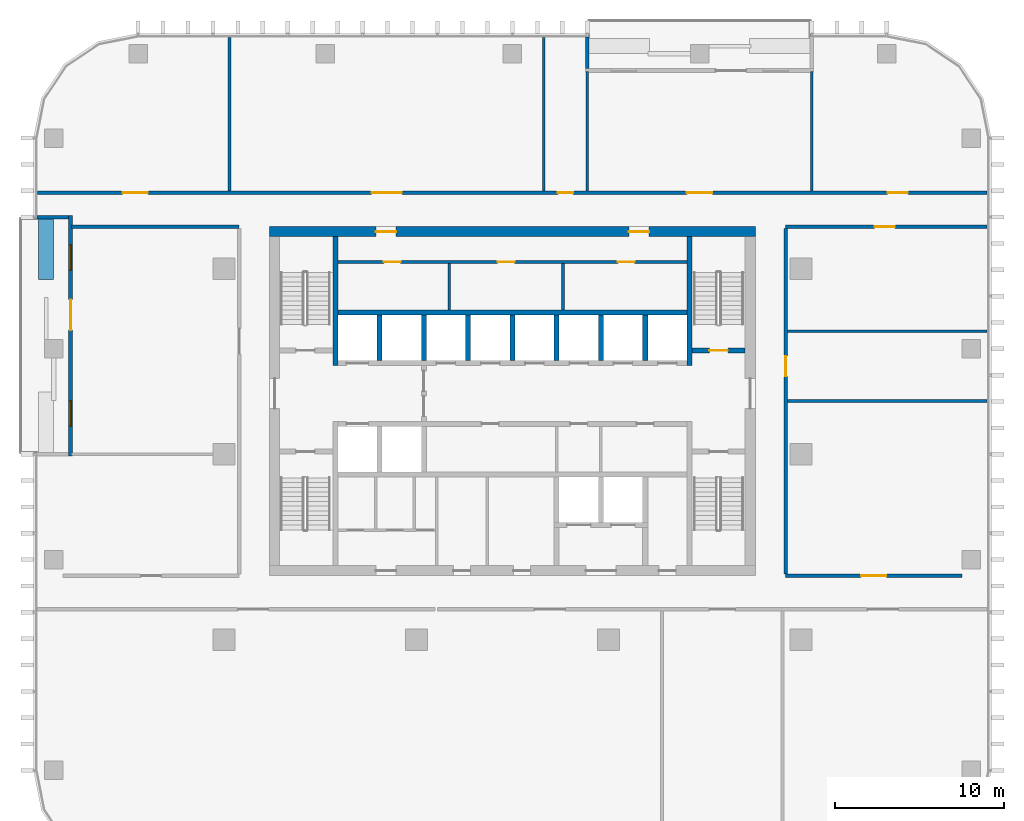
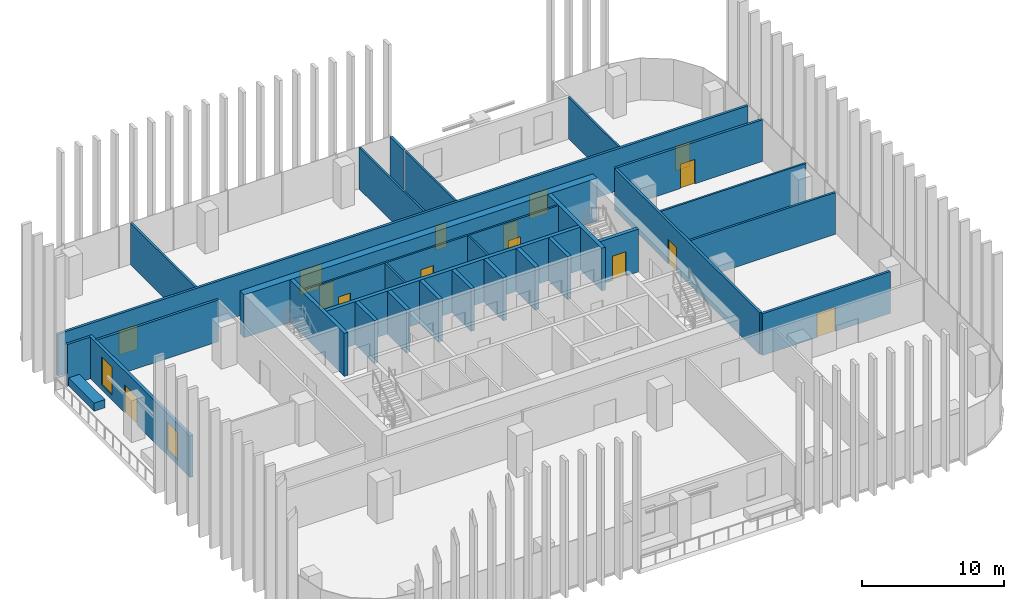
# One storey, part 9 of 16: 30 walls, 15 doors, 2 windows, 17 openings.
"""IFC4 building model written with IfcOpenShell, lengths in metres."""

from ifc_helpers import new_model, si_unit, direction, frame, frame_2d, origin, place, context, subcontext, project, spatial, rectangle, extrude, material, layer, layer_set, type_object, element, fill, save


model = new_model("IFC4")

# Units and contexts
model_context = context("Model", 3, precision=1e-05, world=origin(), true_north=direction((0.0, 1.0)))
body_context = subcontext(model_context, "Body", "Model", "MODEL_VIEW")
ifc_project = project(units=[si_unit("LENGTHUNIT", "METRE"), si_unit("AREAUNIT", "SQUARE_METRE"), si_unit("VOLUMEUNIT", "CUBIC_METRE"), si_unit("PLANEANGLEUNIT", "RADIAN"), si_unit("MASSUNIT", "GRAM", prefix="KILO")], contexts=[model_context])

# Site, building, storey
site_placement = place(None, origin())
site = spatial("IfcSite", under=ifc_project, at=site_placement, CompositionType="ELEMENT")
building_placement = place(site_placement, origin())
building = spatial("IfcBuilding", under=site, at=building_placement, Name="Mopane Tessera Tower", CompositionType="ELEMENT")
storey_placement = place(building_placement, frame((0.0, 0.0, 247.0)))
storey = spatial("IfcBuildingStorey", under=building, at=storey_placement, Name="L53", CompositionType="ELEMENT", Elevation=247.0)

# Walls
ifc_material_1 = material(Name="Fire-rated gypsum board partition")
ifc_layer_1 = layer(ifc_material_1, 0.14990234375)
ifc_layer_set_1 = layer_set([ifc_layer_1], Name="Fire-rated gypsum board partition")
wall_type_1 = type_object("IfcWallType", Name="Core room partition 150 mm", PredefinedType="PARTITIONING", material=ifc_layer_set_1)
for number, where, z_axis, x_axis, name in (
    (1, (-3.75, 8.550048828125, 0.0), (0.0, 0.0, 1.0), (0.0, 1.0, 0.0), "L53 Room partition"),
    (2, (3.0, 8.550048828125, 0.0), (0.0, 0.0, 1.0), (0.0, 1.0, 0.0), "L53 Room partition"),
):
    element("IfcWall", number, at=place(storey_placement, frame(where, z_axis=z_axis, x_axis=x_axis)), inside=storey, type_object=wall_type_1, Name=name, PredefinedType="PARTITIONING", context=body_context, shape_type="SweptSolid", body=[
        extrude(rectangle(XDim=2.77490234375, YDim=0.14990234375, at=frame_2d((1.387451171875, 0.0))), origin(), (0.0, 0.0, 1.0), 3.699951171875),
    ])

# Wall, openings, doors
wall_1_placement = place(storey_placement, frame((-10.35009765625, 11.39990234375, 0.0), z_axis=(0.0, 0.0, 1.0), x_axis=(1.0, 0.0, 0.0)))
wall_1 = element("IfcWall", 3, at=wall_1_placement, inside=storey, type_object=wall_type_1, Name="L53 Corridor wall", PredefinedType="PARTITIONING", context=body_context, shape_type="SweptSolid", body=[
    extrude(rectangle(XDim=20.7001953125, YDim=0.14990234375, at=frame_2d((10.35009765625, 0.0))), origin(), (0.0, 0.0, 1.0), 3.699951171875),
])
opening_1_placement = place(wall_1_placement, frame((2.72509765625, 0.0, 0.0)))
opening_1 = element("IfcOpeningElement", 4, at=opening_1_placement, cuts=wall_1, Name="Opening RD1", PredefinedType="OPENING", context=body_context, shape_type="SweptSolid", body=[
    extrude(rectangle(XDim=1.0, YDim=2.10009765625, at=frame_2d((0.5, 1.050048828125))), frame((0.0, 0.0869140625, 0.0), z_axis=(0.0, -1.0, 0.0), x_axis=(1.0, 0.0, 0.0)), (0.0, 0.0, 1.0), 0.173828125),
])
opening_2_placement = place(wall_1_placement, frame((9.47509765625, 0.0, 0.0)))
opening_2 = element("IfcOpeningElement", 5, at=opening_2_placement, cuts=wall_1, Name="Opening RD1", PredefinedType="OPENING", context=body_context, shape_type="SweptSolid", body=[
    extrude(rectangle(XDim=1.0, YDim=2.10009765625, at=frame_2d((0.5, 1.050048828125))), frame((0.0, 0.0869140625, 0.0), z_axis=(0.0, -1.0, 0.0), x_axis=(1.0, 0.0, 0.0)), (0.0, 0.0, 1.0), 0.173828125),
])
opening_3_placement = place(wall_1_placement, frame((16.60009765625, 0.0, 0.0)))
opening_3 = element("IfcOpeningElement", 6, at=opening_3_placement, cuts=wall_1, Name="Opening RD1", PredefinedType="OPENING", context=body_context, shape_type="SweptSolid", body=[
    extrude(rectangle(XDim=1.0, YDim=2.10009765625, at=frame_2d((0.5, 1.050048828125))), frame((0.0, 0.0869140625, 0.0), z_axis=(0.0, -1.0, 0.0), x_axis=(1.0, 0.0, 0.0)), (0.0, 0.0, 1.0), 0.173828125),
])
ifc_material_2 = material(Name="Timber door", Category="wood")
door_type_1 = type_object("IfcDoorType", Name="Core room door 1000 x 2100", OperationType="SINGLE_SWING_LEFT", PredefinedType="DOOR", material=ifc_material_2)
door_1_placement = place(opening_1_placement, origin())
door_1 = element("IfcDoor", 7, at=door_1_placement, inside=storey, type_object=door_type_1, Name="L53 Room door", OperationType="SINGLE_SWING_LEFT", OverallHeight=2.10009765625, OverallWidth=1.0, PredefinedType="DOOR", context=body_context, shape_type="SweptSolid", body=[
    extrude(rectangle(XDim=1.0, YDim=2.10009765625, at=frame_2d((0.5, 1.050048828125))), frame((0.0, 0.02490234375, 0.0), z_axis=(0.0, -1.0, 0.0), x_axis=(1.0, 0.0, 0.0)), (0.0, 0.0, 1.0), 0.050048828125),
])
fill(opening_1, door_1)
door_2_placement = place(opening_2_placement, origin())
door_2 = element("IfcDoor", 8, at=door_2_placement, inside=storey, type_object=door_type_1, Name="L53 Room door", OperationType="SINGLE_SWING_LEFT", OverallHeight=2.10009765625, OverallWidth=1.0, PredefinedType="DOOR", context=body_context, shape_type="SweptSolid", body=[
    extrude(rectangle(XDim=1.0, YDim=2.10009765625, at=frame_2d((0.5, 1.050048828125))), frame((0.0, 0.02490234375, 0.0), z_axis=(0.0, -1.0, 0.0), x_axis=(1.0, 0.0, 0.0)), (0.0, 0.0, 1.0), 0.050048828125),
])
fill(opening_2, door_2)
door_3_placement = place(opening_3_placement, origin())
door_3 = element("IfcDoor", 9, at=door_3_placement, inside=storey, type_object=door_type_1, Name="L53 Room door", OperationType="SINGLE_SWING_LEFT", OverallHeight=2.10009765625, OverallWidth=1.0, PredefinedType="DOOR", context=body_context, shape_type="SweptSolid", body=[
    extrude(rectangle(XDim=1.0, YDim=2.10009765625, at=frame_2d((0.5, 1.050048828125))), frame((0.0, 0.02490234375, 0.0), z_axis=(0.0, -1.0, 0.0), x_axis=(1.0, 0.0, 0.0)), (0.0, 0.0, 1.0), 0.050048828125),
])
fill(opening_3, door_3)

ifc_material_3 = material(Name="Concrete C70/85", Category="concrete")
ifc_layer_2 = layer(ifc_material_3, 0.60009765625)
ifc_layer_set_2 = layer_set([ifc_layer_2], Name="Concrete C70/85")
wall_type_2 = type_object("IfcWallType", Name="Core shear wall 600 mm", PredefinedType="SHEAR", material=ifc_layer_set_2)
wall_2_placement = place(storey_placement, frame((-14.39990234375, 13.199951171875, 0.0), z_axis=(0.0, 0.0, 1.0), x_axis=(1.0, 0.0, 0.0)))
wall_2 = element("IfcWall", 10, at=wall_2_placement, inside=storey, type_object=wall_type_2, Name="L53 Core wall north", PredefinedType="SHEAR", context=body_context, shape_type="SweptSolid", body=[
    extrude(rectangle(XDim=28.7998046875, YDim=0.60009765625, at=frame_2d((14.39990234375, 0.0))), origin(), (0.0, 0.0, 1.0), 3.699951171875),
])
opening_4_placement = place(wall_2_placement, frame((6.300048828125, 0.0, 0.0)))
opening_4 = element("IfcOpeningElement", 11, at=opening_4_placement, cuts=wall_2, Name="Opening RD2", PredefinedType="OPENING", context=body_context, shape_type="SweptSolid", body=[
    extrude(rectangle(XDim=1.199951171875, YDim=2.10009765625, at=frame_2d((0.60009765625, 1.050048828125))), frame((0.0, 0.31201171875, 0.0), z_axis=(0.0, -1.0, 0.0), x_axis=(1.0, 0.0, 0.0)), (0.0, 0.0, 1.0), 0.6240234375),
])
opening_5_placement = place(wall_2_placement, frame((21.300048828125, 0.0, 0.0)))
opening_5 = element("IfcOpeningElement", 12, at=opening_5_placement, cuts=wall_2, Name="Opening RD2", PredefinedType="OPENING", context=body_context, shape_type="SweptSolid", body=[
    extrude(rectangle(XDim=1.199951171875, YDim=2.10009765625, at=frame_2d((0.60009765625, 1.050048828125))), frame((0.0, 0.31201171875, 0.0), z_axis=(0.0, -1.0, 0.0), x_axis=(1.0, 0.0, 0.0)), (0.0, 0.0, 1.0), 0.6240234375),
])
ifc_material_4 = material(Name="Timber door", Category="wood")
door_type_2 = type_object("IfcDoorType", Name="Core corridor door 1200 x 2100", OperationType="SINGLE_SWING_LEFT", PredefinedType="DOOR", material=ifc_material_4)
door_4_placement = place(opening_4_placement, origin())
door_4 = element("IfcDoor", 13, at=door_4_placement, inside=storey, type_object=door_type_2, Name="L53 Corridor door", OperationType="SINGLE_SWING_LEFT", OverallHeight=2.10009765625, OverallWidth=1.199951171875, PredefinedType="DOOR", context=body_context, shape_type="SweptSolid", body=[
    extrude(rectangle(XDim=1.199951171875, YDim=2.10009765625, at=frame_2d((0.60009765625, 1.050048828125))), frame((0.0, 0.02490234375, 0.0), z_axis=(0.0, -1.0, 0.0), x_axis=(1.0, 0.0, 0.0)), (0.0, 0.0, 1.0), 0.050048828125),
])
fill(opening_4, door_4)
door_5_placement = place(opening_5_placement, origin())
door_5 = element("IfcDoor", 14, at=door_5_placement, inside=storey, type_object=door_type_2, Name="L53 Corridor door", OperationType="SINGLE_SWING_RIGHT", OverallHeight=2.10009765625, OverallWidth=1.199951171875, PredefinedType="DOOR", context=body_context, shape_type="SweptSolid", body=[
    extrude(rectangle(XDim=1.199951171875, YDim=2.10009765625, at=frame_2d((0.60009765625, 1.050048828125))), frame((0.0, 0.02490234375, 0.0), z_axis=(0.0, -1.0, 0.0), x_axis=(1.0, 0.0, 0.0)), (0.0, 0.0, 1.0), 0.050048828125),
])
fill(opening_5, door_5)

# Walls
ifc_material_5 = material(Name="Concrete C60/75", Category="concrete")
ifc_layer_3 = layer(ifc_material_5, 0.300048828125)
ifc_layer_set_3 = layer_set([ifc_layer_3], Name="Concrete C60/75")
wall_type_3 = type_object("IfcWallType", Name="Core spine wall 300 mm", PredefinedType="SHEAR", material=ifc_layer_set_3)
for number, where, z_axis, x_axis, name in (
    (15, (-10.5, 5.25, 0.0), (0.0, 0.0, 1.0), (0.0, 1.0, 0.0), "L53 Core spine wall"),
    (16, (10.5, 5.25, 0.0), (0.0, 0.0, 1.0), (0.0, 1.0, 0.0), "L53 Core spine wall"),
):
    element("IfcWall", number, at=place(storey_placement, frame(where, z_axis=z_axis, x_axis=x_axis)), inside=storey, type_object=wall_type_3, Name=name, PredefinedType="SHEAR", context=body_context, shape_type="SweptSolid", body=[
        extrude(rectangle(XDim=7.64990234375, YDim=0.300048828125, at=frame_2d((3.824951171875, 0.0))), origin(), (0.0, 0.0, 1.0), 3.699951171875),
    ])
ifc_material_6 = material(Name="Gypsum board on staggered steel studs, double layer each face, acoustic mineral wool infill", Category="steel")
ifc_layer_4 = layer(ifc_material_6, 0.175048828125)
ifc_layer_set_4 = layer_set([ifc_layer_4], Name="Gypsum board on staggered steel studs, double layer each face, acoustic mineral wool infill")
wall_type_4 = type_object("IfcWallType", Name="Gypsum board acoustic partition 175, rated EI 60", PredefinedType="PARTITIONING", material=ifc_layer_set_4)
wall_3_placement = place(storey_placement, frame((16.300048828125, 3.14990234375, 0.0), z_axis=(0.0, 0.0, 1.0), x_axis=(1.0, 0.0, 0.0)))
element("IfcWall", 17, at=wall_3_placement, inside=storey, type_object=wall_type_4, Name="Partition L53:005", PredefinedType="PARTITIONING", context=body_context, shape_type="SweptSolid", body=[
    extrude(rectangle(XDim=11.849853515625, YDim=0.175048828125, at=frame_2d((5.9248046875, 0.0))), origin(), (0.0, 0.0, 1.0), 3.60009765625),
])
wall_4_placement = place(storey_placement, frame((-16.77001953125, 15.60009765625, 0.0), z_axis=(0.0, 0.0, 1.0), x_axis=(0.0, 1.0, 0.0)))
element("IfcWall", 18, at=wall_4_placement, inside=storey, type_object=wall_type_4, Name="Partition L53:010", PredefinedType="PARTITIONING", context=body_context, shape_type="SweptSolid", body=[
    extrude(rectangle(XDim=9.099853515625, YDim=0.175048828125, at=frame_2d((4.5498046875, 0.0))), origin(), (0.0, 0.0, 1.0), 3.60009765625),
])

# Wall, opening, door
ifc_material_7 = material(Name="Gypsum board on steel studs, two layers each face, mineral wool infill", Category="steel")
ifc_layer_5 = layer(ifc_material_7, 0.199951171875)
ifc_layer_set_5 = layer_set([ifc_layer_5], Name="Gypsum board on steel studs, two layers each face, mineral wool infill")
wall_type_5 = type_object("IfcWallType", Name="Gypsum board corridor wall 200, rated EI 60", PredefinedType="PARTITIONING", material=ifc_layer_set_5)
wall_5_placement = place(storey_placement, frame((16.199951171875, -7.199951171875, 0.0), z_axis=(0.0, 0.0, 1.0), x_axis=(1.0, 0.0, 0.0)))
wall_5 = element("IfcWall", 19, at=wall_5_placement, inside=storey, type_object=wall_type_5, Name="Partition L53:003", PredefinedType="PARTITIONING", context=body_context, shape_type="SweptSolid", body=[
    extrude(rectangle(XDim=10.449951171875, YDim=0.199951171875, at=frame_2d((5.22509765625, 0.0))), origin(), (0.0, 0.0, 1.0), 3.60009765625),
])
opening_6_placement = place(wall_5_placement, frame((4.47509765625, 0.0, 0.0)))
opening_6 = element("IfcOpeningElement", 20, at=opening_6_placement, cuts=wall_5, Name="Opening L53-14", PredefinedType="OPENING", context=body_context, shape_type="SweptSolid", body=[
    extrude(rectangle(XDim=1.5, YDim=2.10009765625, at=frame_2d((0.75, 1.050048828125))), frame((0.0, 0.112060546875, 0.0), z_axis=(0.0, -1.0, 0.0), x_axis=(1.0, 0.0, 0.0)), (0.0, 0.0, 1.0), 0.223876953125),
])
ifc_material_8 = material(Name="Timber veneered steel-framed fire door", Category="steel")
door_type_3 = type_object("IfcDoorType", Name="Fire door pair FD60 1500 x 2100", OperationType="DOUBLE_DOOR_SINGLE_SWING", PredefinedType="DOOR", material=ifc_material_8)
door_6_placement = place(opening_6_placement, origin())
door_6 = element("IfcDoor", 21, at=door_6_placement, inside=storey, type_object=door_type_3, Name="Door L53-14", ObjectType="D17A", OperationType="DOUBLE_DOOR_SINGLE_SWING", OverallHeight=2.10009765625, OverallWidth=1.5, PredefinedType="DOOR", context=body_context, shape_type="SweptSolid", body=[
    extrude(rectangle(XDim=1.5, YDim=2.10009765625, at=frame_2d((0.75, 1.050048828125))), frame((0.0, 0.02490234375, 0.0), z_axis=(0.0, -1.0, 0.0), x_axis=(1.0, 0.0, 0.0)), (0.0, 0.0, 1.0), 0.050048828125),
])
fill(opening_6, door_6)

# Wall
wall_6_placement = place(storey_placement, frame((-26.14990234375, 13.5, 0.0), z_axis=(0.0, 0.0, 1.0), x_axis=(1.0, 0.0, 0.0)))
element("IfcWall", 22, at=wall_6_placement, inside=storey, type_object=wall_type_5, Name="Partition L53:007", PredefinedType="PARTITIONING", context=body_context, shape_type="SweptSolid", body=[
    extrude(rectangle(XDim=9.949951171875, YDim=0.199951171875, at=frame_2d((4.97509765625, 0.0))), origin(), (0.0, 0.0, 1.0), 3.60009765625),
])

# Wall, opening, door
wall_7_placement = place(storey_placement, frame((16.199951171875, 13.5, 0.0), z_axis=(0.0, 0.0, 1.0), x_axis=(1.0, 0.0, 0.0)))
wall_7 = element("IfcWall", 23, at=wall_7_placement, inside=storey, type_object=wall_type_5, Name="Partition L53:008", PredefinedType="PARTITIONING", context=body_context, shape_type="SweptSolid", body=[
    extrude(rectangle(XDim=11.949951171875, YDim=0.199951171875, at=frame_2d((5.97509765625, 0.0))), origin(), (0.0, 0.0, 1.0), 3.60009765625),
])
opening_7_placement = place(wall_7_placement, frame((5.27490234375, 0.0, 0.0)))
opening_7 = element("IfcOpeningElement", 24, at=opening_7_placement, cuts=wall_7, Name="Opening L53-07", PredefinedType="OPENING", context=body_context, shape_type="SweptSolid", body=[
    extrude(rectangle(XDim=1.199951171875, YDim=2.10009765625, at=frame_2d((0.60009765625, 1.050048828125))), frame((0.0, 0.112060546875, 0.0), z_axis=(0.0, -1.0, 0.0), x_axis=(1.0, 0.0, 0.0)), (0.0, 0.0, 1.0), 0.223876953125),
])
ifc_material_9 = material(Name="Timber veneered steel-framed fire door", Category="steel")
door_type_4 = type_object("IfcDoorType", Name="Fire door FD60 1200 x 2100", OperationType="SINGLE_SWING_LEFT", PredefinedType="DOOR", material=ifc_material_9)
door_7_placement = place(opening_7_placement, origin())
door_7 = element("IfcDoor", 25, at=door_7_placement, inside=storey, type_object=door_type_4, Name="Door L53-07", ObjectType="D15A", OperationType="SINGLE_SWING_LEFT", OverallHeight=2.10009765625, OverallWidth=1.199951171875, PredefinedType="DOOR", context=body_context, shape_type="SweptSolid", body=[
    extrude(rectangle(XDim=1.199951171875, YDim=2.10009765625, at=frame_2d((0.60009765625, 1.050048828125))), frame((0.0, 0.02490234375, 0.0), z_axis=(0.0, -1.0, 0.0), x_axis=(1.0, 0.0, 0.0)), (0.0, 0.0, 1.0), 0.050048828125),
])
fill(opening_7, door_7)

# Wall, openings, doors
wall_8_placement = place(storey_placement, frame((-28.14990234375, 15.5, 0.0), z_axis=(0.0, 0.0, 1.0), x_axis=(1.0, 0.0, 0.0)))
wall_8 = element("IfcWall", 26, at=wall_8_placement, inside=storey, type_object=wall_type_5, Name="Partition L53:009", PredefinedType="PARTITIONING", context=body_context, shape_type="SweptSolid", body=[
    extrude(rectangle(XDim=56.2998046875, YDim=0.199951171875, at=frame_2d((28.14990234375, 0.0))), origin(), (0.0, 0.0, 1.0), 3.60009765625),
])
opening_8_placement = place(wall_8_placement, frame((50.405029296875, 0.0, 0.0)))
opening_8 = element("IfcOpeningElement", 27, at=opening_8_placement, cuts=wall_8, Name="Opening L53-01", PredefinedType="OPENING", context=body_context, shape_type="SweptSolid", body=[
    extrude(rectangle(XDim=1.199951171875, YDim=2.10009765625, at=frame_2d((0.60009765625, 1.050048828125))), frame((0.0, 0.112060546875, 0.0), z_axis=(0.0, -1.0, 0.0), x_axis=(1.0, 0.0, 0.0)), (0.0, 0.0, 1.0), 0.223876953125),
])
opening_9_placement = place(wall_8_placement, frame((38.5, 0.0, 0.0)))
opening_9 = element("IfcOpeningElement", 28, at=opening_9_placement, cuts=wall_8, Name="Opening L53-05", PredefinedType="OPENING", context=body_context, shape_type="SweptSolid", body=[
    extrude(rectangle(XDim=1.5, YDim=2.10009765625, at=frame_2d((0.75, 1.050048828125))), frame((0.0, 0.112060546875, 0.0), z_axis=(0.0, -1.0, 0.0), x_axis=(1.0, 0.0, 0.0)), (0.0, 0.0, 1.0), 0.223876953125),
])
opening_10_placement = place(wall_8_placement, frame((30.8525390625, 0.0, 0.0)))
opening_10 = element("IfcOpeningElement", 29, at=opening_10_placement, cuts=wall_8, Name="Opening L53-06", PredefinedType="OPENING", context=body_context, shape_type="SweptSolid", body=[
    extrude(rectangle(XDim=0.89990234375, YDim=2.10009765625, at=frame_2d((0.449951171875, 1.050048828125))), frame((0.0, 0.112060546875, 0.0), z_axis=(0.0, -1.0, 0.0), x_axis=(1.0, 0.0, 0.0)), (0.0, 0.0, 1.0), 0.223876953125),
])
opening_11_placement = place(wall_8_placement, frame((19.797607421875, 0.0, 0.0)))
opening_11 = element("IfcOpeningElement", 30, at=opening_11_placement, cuts=wall_8, Name="Opening L53-10", PredefinedType="OPENING", context=body_context, shape_type="SweptSolid", body=[
    extrude(rectangle(XDim=1.800048828125, YDim=2.10009765625, at=frame_2d((0.89990234375, 1.050048828125))), frame((0.0, 0.112060546875, 0.0), z_axis=(0.0, -1.0, 0.0), x_axis=(1.0, 0.0, 0.0)), (0.0, 0.0, 1.0), 0.223876953125),
])
opening_12_placement = place(wall_8_placement, frame((5.0400390625, 0.0, 0.0)))
opening_12 = element("IfcOpeningElement", 31, at=opening_12_placement, cuts=wall_8, Name="Opening L53-12", PredefinedType="OPENING", context=body_context, shape_type="SweptSolid", body=[
    extrude(rectangle(XDim=1.5, YDim=2.10009765625, at=frame_2d((0.75, 1.050048828125))), frame((0.0, 0.112060546875, 0.0), z_axis=(0.0, -1.0, 0.0), x_axis=(1.0, 0.0, 0.0)), (0.0, 0.0, 1.0), 0.223876953125),
])
door_8_placement = place(opening_8_placement, origin())
door_8 = element("IfcDoor", 32, at=door_8_placement, inside=storey, type_object=door_type_4, Name="Door L53-01", ObjectType="D15A", OperationType="SINGLE_SWING_RIGHT", OverallHeight=2.10009765625, OverallWidth=1.199951171875, PredefinedType="DOOR", context=body_context, shape_type="SweptSolid", body=[
    extrude(rectangle(XDim=1.199951171875, YDim=2.10009765625, at=frame_2d((0.60009765625, 1.050048828125))), frame((0.0, 0.02490234375, 0.0), z_axis=(0.0, -1.0, 0.0), x_axis=(1.0, 0.0, 0.0)), (0.0, 0.0, 1.0), 0.050048828125),
])
fill(opening_8, door_8)
ifc_material_10 = material(Name="Timber veneered steel-framed fire door", Category="steel")
door_type_5 = type_object("IfcDoorType", Name="Fire door FD60 900 x 2100", OperationType="SINGLE_SWING_LEFT", PredefinedType="DOOR", material=ifc_material_10)
door_9_placement = place(opening_10_placement, origin())
door_9 = element("IfcDoor", 33, at=door_9_placement, inside=storey, type_object=door_type_5, Name="Door L53-06", ObjectType="D10A", OperationType="SINGLE_SWING_LEFT", OverallHeight=2.10009765625, OverallWidth=0.89990234375, PredefinedType="DOOR", context=body_context, shape_type="SweptSolid", body=[
    extrude(rectangle(XDim=0.89990234375, YDim=2.10009765625, at=frame_2d((0.449951171875, 1.050048828125))), frame((0.0, 0.02490234375, 0.0), z_axis=(0.0, -1.0, 0.0), x_axis=(1.0, 0.0, 0.0)), (0.0, 0.0, 1.0), 0.050048828125),
])
fill(opening_10, door_9)
door_10_placement = place(opening_9_placement, origin())
door_10 = element("IfcDoor", 34, at=door_10_placement, inside=storey, type_object=door_type_3, Name="Door L53-05", ObjectType="D17A", OperationType="DOUBLE_DOOR_SINGLE_SWING", OverallHeight=2.10009765625, OverallWidth=1.5, PredefinedType="DOOR", context=body_context, shape_type="SweptSolid", body=[
    extrude(rectangle(XDim=1.5, YDim=2.10009765625, at=frame_2d((0.75, 1.050048828125))), frame((0.0, 0.02490234375, 0.0), z_axis=(0.0, -1.0, 0.0), x_axis=(1.0, 0.0, 0.0)), (0.0, 0.0, 1.0), 0.050048828125),
])
fill(opening_9, door_10)
door_11_placement = place(opening_12_placement, origin())
door_11 = element("IfcDoor", 35, at=door_11_placement, inside=storey, type_object=door_type_3, Name="Door L53-12", ObjectType="D17A", OperationType="DOUBLE_DOOR_SINGLE_SWING", OverallHeight=2.10009765625, OverallWidth=1.5, PredefinedType="DOOR", context=body_context, shape_type="SweptSolid", body=[
    extrude(rectangle(XDim=1.5, YDim=2.10009765625, at=frame_2d((0.75, 1.050048828125))), frame((0.0, 0.02490234375, 0.0), z_axis=(0.0, -1.0, 0.0), x_axis=(1.0, 0.0, 0.0)), (0.0, 0.0, 1.0), 0.050048828125),
])
fill(opening_12, door_11)
ifc_material_11 = material(Name="Timber veneered steel-framed fire door", Category="steel")
door_type_6 = type_object("IfcDoorType", Name="Fire door pair FD60 1800 x 2100", OperationType="DOUBLE_DOOR_SINGLE_SWING", PredefinedType="DOOR", material=ifc_material_11)
door_12_placement = place(opening_11_placement, origin())
door_12 = element("IfcDoor", 36, at=door_12_placement, inside=storey, type_object=door_type_6, Name="Door L53-10", ObjectType="D20A", OperationType="DOUBLE_DOOR_SINGLE_SWING", OverallHeight=2.10009765625, OverallWidth=1.800048828125, PredefinedType="DOOR", context=body_context, shape_type="SweptSolid", body=[
    extrude(rectangle(XDim=1.800048828125, YDim=2.10009765625, at=frame_2d((0.89990234375, 1.050048828125))), frame((0.0, 0.02490234375, 0.0), z_axis=(0.0, -1.0, 0.0), x_axis=(1.0, 0.0, 0.0)), (0.0, 0.0, 1.0), 0.050048828125),
])
fill(opening_11, door_12)

# Wall, opening, door
wall_9_placement = place(storey_placement, frame((16.199951171875, -7.10009765625, 0.0), z_axis=(0.0, 0.0, 1.0), x_axis=(0.0, 1.0, 0.0)))
wall_9 = element("IfcWall", 37, at=wall_9_placement, inside=storey, type_object=wall_type_5, Name="Partition L53:016", PredefinedType="PARTITIONING", context=body_context, shape_type="SweptSolid", body=[
    extrude(rectangle(XDim=20.5, YDim=0.199951171875, at=frame_2d((10.25, 0.0))), origin(), (0.0, 0.0, 1.0), 3.60009765625),
])
opening_13_placement = place(wall_9_placement, frame((11.719970703125, 0.0, 0.0)))
opening_13 = element("IfcOpeningElement", 38, at=opening_13_placement, cuts=wall_9, Name="Opening L53-11", PredefinedType="OPENING", context=body_context, shape_type="SweptSolid", body=[
    extrude(rectangle(XDim=1.199951171875, YDim=2.10009765625, at=frame_2d((0.60009765625, 1.050048828125))), frame((0.0, 0.112060546875, 0.0), z_axis=(0.0, -1.0, 0.0), x_axis=(1.0, 0.0, 0.0)), (0.0, 0.0, 1.0), 0.223876953125),
])
door_13_placement = place(opening_13_placement, origin())
door_13 = element("IfcDoor", 39, at=door_13_placement, inside=storey, type_object=door_type_4, Name="Door L53-11", ObjectType="D15A", OperationType="SINGLE_SWING_LEFT", OverallHeight=2.10009765625, OverallWidth=1.199951171875, PredefinedType="DOOR", context=body_context, shape_type="SweptSolid", body=[
    extrude(rectangle(XDim=1.199951171875, YDim=2.10009765625, at=frame_2d((0.60009765625, 1.050048828125))), frame((0.0, 0.02490234375, 0.0), z_axis=(0.0, -1.0, 0.0), x_axis=(1.0, 0.0, 0.0)), (0.0, 0.0, 1.0), 0.050048828125),
])
fill(opening_13, door_13)

# Walls
ifc_material_12 = material(Name="Gypsum board on steel studs, mineral wool infill", Category="steel")
ifc_layer_6 = layer(ifc_material_12, 0.14990234375)
ifc_layer_set_6 = layer_set([ifc_layer_6], Name="Gypsum board on steel studs, mineral wool infill")
wall_type_6 = type_object("IfcWallType", Name="Gypsum board partition 150, rated EI 60", PredefinedType="PARTITIONING", material=ifc_layer_set_6)
wall_10_placement = place(storey_placement, frame((16.300048828125, 7.2900390625, 0.0), z_axis=(0.0, 0.0, 1.0), x_axis=(1.0, 0.0, 0.0)))
element("IfcWall", 40, at=wall_10_placement, inside=storey, type_object=wall_type_6, Name="Partition L53:006", PredefinedType="PARTITIONING", context=body_context, shape_type="SweptSolid", body=[
    extrude(rectangle(XDim=11.849853515625, YDim=0.14990234375, at=frame_2d((5.9248046875, 0.0))), origin(), (0.0, 0.0, 1.0), 3.60009765625),
])
wall_11_placement = place(storey_placement, frame((1.864990234375, 15.60009765625, 0.0), z_axis=(0.0, 0.0, 1.0), x_axis=(0.0, 1.0, 0.0)))
element("IfcWall", 41, at=wall_11_placement, inside=storey, type_object=wall_type_6, Name="Partition L53:012", PredefinedType="PARTITIONING", context=body_context, shape_type="SweptSolid", body=[
    extrude(rectangle(XDim=9.099853515625, YDim=0.14990234375, at=frame_2d((4.5498046875, 0.0))), origin(), (0.0, 0.0, 1.0), 3.60009765625),
])
for number, where, z_axis, x_axis, name in (
    (42, (4.43994140625, 15.60009765625, 0.0), (0.0, 0.0, 1.0), (0.0, 1.0, 0.0), "Partition L53:013"),
    (43, (17.760009765625, 15.60009765625, 0.0), (0.0, 0.0, 1.0), (0.0, 1.0, 0.0), "Partition L53:017"),
):
    element("IfcWall", number, at=place(storey_placement, frame(where, z_axis=z_axis, x_axis=x_axis)), inside=storey, type_object=wall_type_6, Name=name, PredefinedType="PARTITIONING", context=body_context, shape_type="SweptSolid", body=[
        extrude(rectangle(XDim=7.099853515625, YDim=0.14990234375, at=frame_2d((3.5498046875, 0.0))), origin(), (0.0, 0.0, 1.0), 3.60009765625),
    ])

# Wall, opening, door
ifc_material_13 = material(Name="Concrete C50/60", Category="concrete")
ifc_layer_7 = layer(ifc_material_13, 0.300048828125)
ifc_layer_set_7 = layer_set([ifc_layer_7], Name="Concrete C50/60")
wall_type_7 = type_object("IfcWallType", Name="Lift and stair shaft wall 300 mm", PredefinedType="SOLIDWALL", material=ifc_layer_set_7)
wall_12_placement = place(storey_placement, frame((10.64990234375, 6.14990234375, 0.0), z_axis=(0.0, 0.0, 1.0), x_axis=(1.0, 0.0, 0.0)))
wall_12 = element("IfcWall", 44, at=wall_12_placement, inside=storey, type_object=wall_type_7, Name="L53 Stair enclosure wall", PredefinedType="SOLIDWALL", context=body_context, shape_type="SweptSolid", body=[
    extrude(rectangle(XDim=3.150146484375, YDim=0.300048828125, at=frame_2d((1.5751953125, 0.0))), origin(), (0.0, 0.0, 1.0), 3.699951171875),
])
opening_14_placement = place(wall_12_placement, frame((1.02490234375, 0.0, 0.0)))
opening_14 = element("IfcOpeningElement", 45, at=opening_14_placement, cuts=wall_12, Name="Opening SD1", PredefinedType="OPENING", context=body_context, shape_type="SweptSolid", body=[
    extrude(rectangle(XDim=1.10009765625, YDim=2.10009765625, at=frame_2d((0.550048828125, 1.050048828125))), frame((0.0, 0.162109375, 0.0), z_axis=(0.0, -1.0, 0.0), x_axis=(1.0, 0.0, 0.0)), (0.0, 0.0, 1.0), 0.323974609375),
])
ifc_material_14 = material(Name="Steel fire door", Category="steel")
door_type_7 = type_object("IfcDoorType", Name="Stair fire door 1100 x 2100", OperationType="SINGLE_SWING_LEFT", PredefinedType="DOOR", material=ifc_material_14)
door_14_placement = place(opening_14_placement, origin())
door_14 = element("IfcDoor", 46, at=door_14_placement, inside=storey, type_object=door_type_7, Name="L53 Stair door ST4", OperationType="SINGLE_SWING_RIGHT", OverallHeight=2.10009765625, OverallWidth=1.10009765625, PredefinedType="DOOR", context=body_context, shape_type="SweptSolid", body=[
    extrude(rectangle(XDim=1.10009765625, YDim=2.10009765625, at=frame_2d((0.550048828125, 1.050048828125))), frame((0.0, 0.02490234375, 0.0), z_axis=(0.0, -1.0, 0.0), x_axis=(1.0, 0.0, 0.0)), (0.0, 0.0, 1.0), 0.050048828125),
])
fill(opening_14, door_14)

# Walls
wall_13_placement = place(storey_placement, frame((-10.35009765625, 8.39990234375, 0.0), z_axis=(0.0, 0.0, 1.0), x_axis=(1.0, 0.0, 0.0)))
element("IfcWall", 47, at=wall_13_placement, inside=storey, type_object=wall_type_7, Name="L53 Lift shaft rear wall", PredefinedType="SOLIDWALL", context=body_context, shape_type="SweptSolid", body=[
    extrude(rectangle(XDim=20.7001953125, YDim=0.300048828125, at=frame_2d((10.35009765625, 0.0))), origin(), (0.0, 0.0, 1.0), 3.699951171875),
])
for number, where, z_axis, x_axis, name in (
    (48, (-7.875, 5.550048828125, 0.0), (0.0, 0.0, 1.0), (0.0, 1.0, 0.0), "L53 Lift shaft wall"),
    (49, (-5.25, 5.550048828125, 0.0), (0.0, 0.0, 1.0), (0.0, 1.0, 0.0), "L53 Lift shaft wall"),
    (50, (-2.625, 5.550048828125, 0.0), (0.0, 0.0, 1.0), (0.0, 1.0, 0.0), "L53 Lift shaft wall"),
    (51, (0.0, 5.550048828125, 0.0), (0.0, 0.0, 1.0), (0.0, 1.0, 0.0), "L53 Lift shaft wall"),
    (52, (2.625, 5.550048828125, 0.0), (0.0, 0.0, 1.0), (0.0, 1.0, 0.0), "L53 Lift shaft wall"),
    (53, (5.25, 5.550048828125, 0.0), (0.0, 0.0, 1.0), (0.0, 1.0, 0.0), "L53 Lift shaft wall"),
    (54, (7.875, 5.550048828125, 0.0), (0.0, 0.0, 1.0), (0.0, 1.0, 0.0), "L53 Lift shaft wall"),
):
    element("IfcWall", number, at=place(storey_placement, frame(where, z_axis=z_axis, x_axis=x_axis)), inside=storey, type_object=wall_type_7, Name=name, PredefinedType="SOLIDWALL", context=body_context, shape_type="SweptSolid", body=[
        extrude(rectangle(XDim=2.699951171875, YDim=0.300048828125, at=frame_2d((1.35009765625, 0.0))), origin(), (0.0, 0.0, 1.0), 3.699951171875),
    ])
ifc_material_15 = material(Name="Reinforced concrete C32/40 with waterproofing", Category="concrete")
ifc_layer_8 = layer(ifc_material_15, 0.89990234375)
ifc_layer_set_8 = layer_set([ifc_layer_8], Name="Reinforced concrete C32/40 with waterproofing")
wall_type_8 = type_object("IfcWallType", Name="Planter trough 3600 x 900", PredefinedType="STANDARD", material=ifc_layer_set_8)
wall_14_placement = place(storey_placement, frame((-27.64990234375, 13.96240234375, 0.0), z_axis=(0.0, 0.0, 1.0), x_axis=(0.0, -1.0, 0.0)))
element("IfcWall", 55, at=wall_14_placement, inside=storey, type_object=wall_type_8, Name="e:nw:L53:N3:pl0", PredefinedType="STANDARD", context=body_context, shape_type="SweptSolid", body=[
    extrude(rectangle(XDim=3.599853515625, YDim=0.89990234375, at=frame_2d((1.7998046875, 0.0))), origin(), (0.0, 0.0, 1.0), 0.699951171875),
])
ifc_material_16 = material(Name="Blockwork with glazed tile facing", Category="masonry")
ifc_layer_9 = layer(ifc_material_16, 0.199951171875)
ifc_layer_set_9 = layer_set([ifc_layer_9], Name="Blockwork with glazed tile facing")
wall_type_9 = type_object("IfcWallType", Name="Terrace cheek wall 200", PredefinedType="STANDARD", material=ifc_layer_set_9)
for number, where, z_axis, x_axis, name in (
    (56, (4.43994140625, 24.75, 0.0), (0.0, 0.0, 1.0), (0.0, -1.0, 0.0), "e:nw:L53:N2:cheekb"),
    (57, (-28.199951171875, 14.0625, 0.0), (0.0, 0.0, 1.0), (1.0, 0.0, 0.0), "e:nw:L53:N3:cheeka"),
):
    element("IfcWall", number, at=place(storey_placement, frame(where, z_axis=z_axis, x_axis=x_axis)), inside=storey, type_object=wall_type_9, Name=name, PredefinedType="STANDARD", context=body_context, shape_type="SweptSolid", body=[
        extrude(rectangle(XDim=1.875, YDim=0.199951171875, at=frame_2d((0.9375, 0.0))), origin(), (0.0, 0.0, 1.0), 3.60009765625),
    ])

# Wall, openings, windows, door
ifc_material_17 = material(Name="Blockwork with ochre glazed tile facing", Category="masonry")
ifc_layer_10 = layer(ifc_material_17, 0.25)
ifc_layer_set_10 = layer_set([ifc_layer_10], Name="Blockwork with ochre glazed tile facing")
wall_type_10 = type_object("IfcWallType", Name="Tile-clad external wall 250, ochre", PredefinedType="STANDARD", material=ifc_layer_set_10)
wall_15_placement = place(storey_placement, frame((-26.199951171875, 14.16259765625, 0.0), z_axis=(0.0, 0.0, 1.0), x_axis=(0.0, -1.0, 0.0)))
wall_15 = element("IfcWall", 58, at=wall_15_placement, inside=storey, type_object=wall_type_10, Name="e:nw:L53:N3:back", PredefinedType="STANDARD", context=body_context, shape_type="SweptSolid", body=[
    extrude(rectangle(XDim=14.2626953125, YDim=0.25, at=frame_2d((7.13134765625, 0.0))), origin(), (0.0, 0.0, 1.0), 3.60009765625),
])
opening_15_placement = place(wall_15_placement, frame((1.75, 0.0, 0.449951171875)))
opening_15 = element("IfcOpeningElement", 59, at=opening_15_placement, cuts=wall_15, Name="Opening NW533A", PredefinedType="OPENING", context=body_context, shape_type="SweptSolid", body=[
    extrude(rectangle(XDim=1.5, YDim=2.39990234375, at=frame_2d((0.75, 1.199951171875))), frame((0.0, 0.136962890625, 0.0), z_axis=(0.0, -1.0, 0.0), x_axis=(1.0, 0.0, 0.0)), (0.0, 0.0, 1.0), 0.27392578125),
])
opening_16_placement = place(wall_15_placement, frame((5.0, 0.0, 0.0)))
opening_16 = element("IfcOpeningElement", 60, at=opening_16_placement, cuts=wall_15, Name="Opening ND533", PredefinedType="OPENING", context=body_context, shape_type="SweptSolid", body=[
    extrude(rectangle(XDim=1.800048828125, YDim=2.39990234375, at=frame_2d((0.89990234375, 1.199951171875))), frame((0.0, 0.136962890625, 0.0), z_axis=(0.0, -1.0, 0.0), x_axis=(1.0, 0.0, 0.0)), (0.0, 0.0, 1.0), 0.27392578125),
])
opening_17_placement = place(wall_15_placement, frame((11.0, 0.0, 0.449951171875)))
opening_17 = element("IfcOpeningElement", 61, at=opening_17_placement, cuts=wall_15, Name="Opening NW533B", PredefinedType="OPENING", context=body_context, shape_type="SweptSolid", body=[
    extrude(rectangle(XDim=1.5, YDim=2.39990234375, at=frame_2d((0.75, 1.199951171875))), frame((0.0, 0.136962890625, 0.0), z_axis=(0.0, -1.0, 0.0), x_axis=(1.0, 0.0, 0.0)), (0.0, 0.0, 1.0), 0.27392578125),
])
ifc_material_18 = material(Name="Clear laminated glass", Category="glass")
window_type = type_object("IfcWindowType", Name="Fixed window 1500 x 2400", PartitioningType="SINGLE_PANEL", PredefinedType="WINDOW", material=ifc_material_18)
window_1_placement = place(opening_15_placement, origin())
window_1 = element("IfcWindow", 62, at=window_1_placement, inside=storey, type_object=window_type, Name="e:nw:L53:N3:win0", OverallHeight=2.39990234375, OverallWidth=1.5, PartitioningType="SINGLE_PANEL", PredefinedType="WINDOW", context=body_context, shape_type="SweptSolid", body=[
    extrude(rectangle(XDim=1.5, YDim=2.39990234375, at=frame_2d((0.75, 1.199951171875))), frame((0.0, 0.030029296875, 0.0), z_axis=(0.0, -1.0, 0.0), x_axis=(1.0, 0.0, 0.0)), (0.0, 0.0, 1.0), 0.06005859375),
])
fill(opening_15, window_1)
window_2_placement = place(opening_17_placement, origin())
window_2 = element("IfcWindow", 63, at=window_2_placement, inside=storey, type_object=window_type, Name="e:nw:L53:N3:win2", OverallHeight=2.39990234375, OverallWidth=1.5, PartitioningType="SINGLE_PANEL", PredefinedType="WINDOW", context=body_context, shape_type="SweptSolid", body=[
    extrude(rectangle(XDim=1.5, YDim=2.39990234375, at=frame_2d((0.75, 1.199951171875))), frame((0.0, 0.030029296875, 0.0), z_axis=(0.0, -1.0, 0.0), x_axis=(1.0, 0.0, 0.0)), (0.0, 0.0, 1.0), 0.06005859375),
])
fill(opening_17, window_2)
ifc_material_19 = material(Name="Aluminium and clear glass", Category="aluminium")
door_type_8 = type_object("IfcDoorType", Name="Terrace double door 1800 x 2400", OperationType="DOUBLE_DOOR_SINGLE_SWING", PredefinedType="DOOR", material=ifc_material_19)
door_15_placement = place(opening_16_placement, origin())
door_15 = element("IfcDoor", 64, at=door_15_placement, inside=storey, type_object=door_type_8, Name="e:nw:L53:N3:door", ObjectType="D1", OperationType="DOUBLE_DOOR_SINGLE_SWING", OverallHeight=2.39990234375, OverallWidth=1.800048828125, PredefinedType="DOOR", context=body_context, shape_type="SweptSolid", body=[
    extrude(rectangle(XDim=1.800048828125, YDim=2.39990234375, at=frame_2d((0.89990234375, 1.199951171875))), frame((0.0, 0.02490234375, 0.0), z_axis=(0.0, -1.0, 0.0), x_axis=(1.0, 0.0, 0.0)), (0.0, 0.0, 1.0), 0.050048828125),
])
fill(opening_16, door_15)

save(model, "model.ifc")
